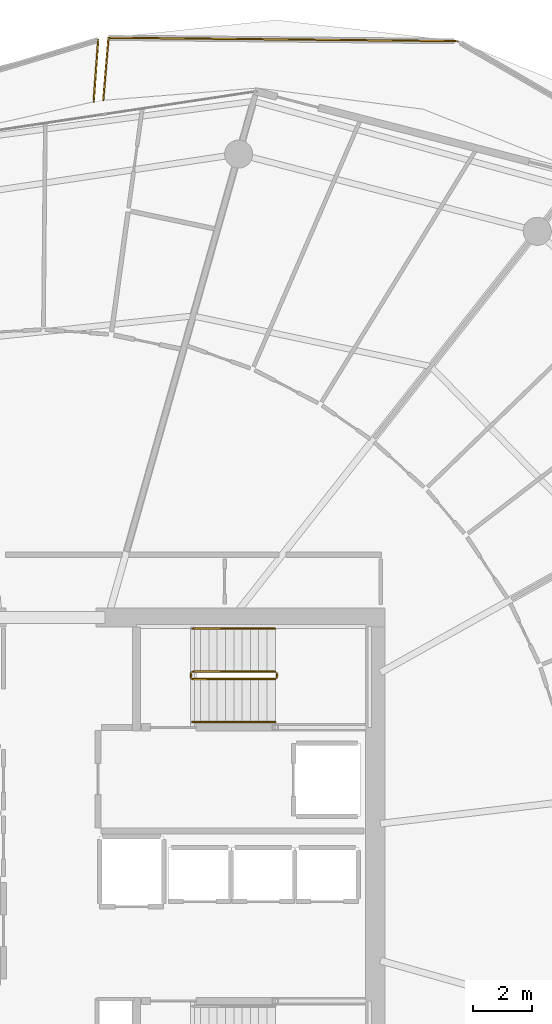
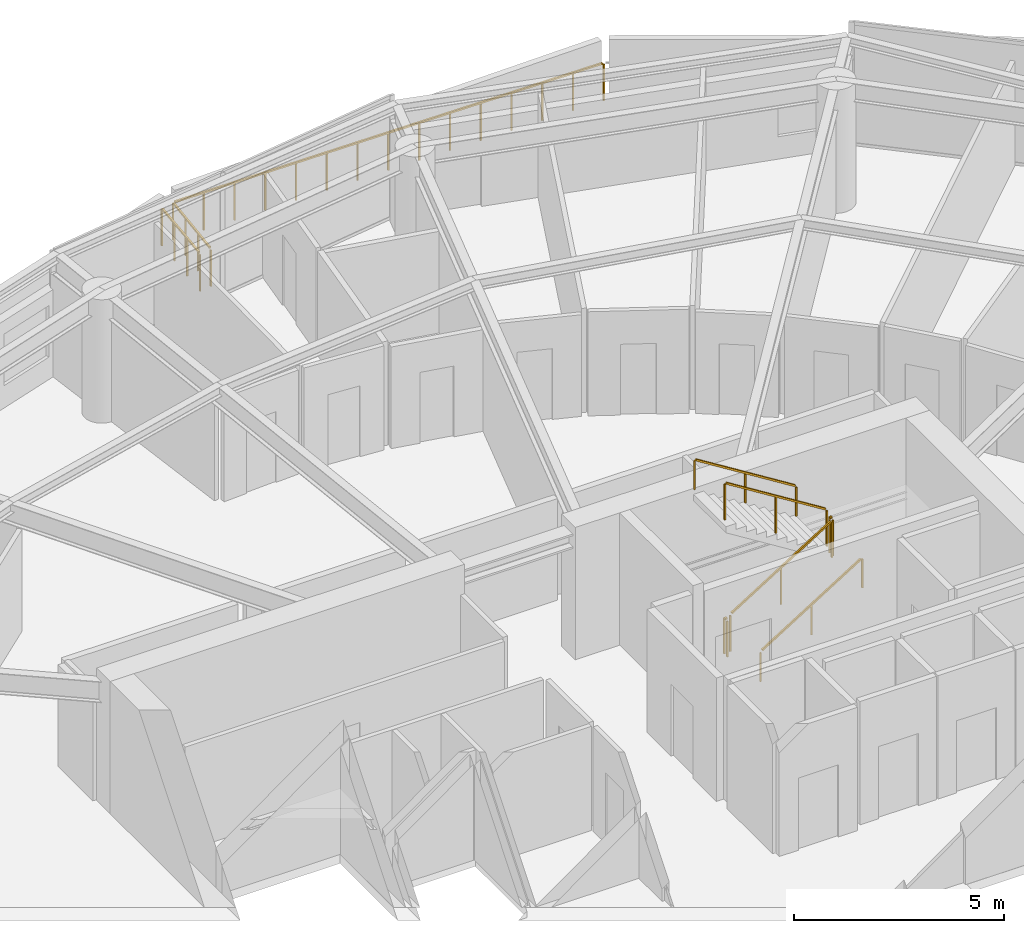
# One storey, part 30 of 31: 9 railings.
"""IFC4 building model written with IfcOpenShell, lengths in metres."""

import ifcopenshell
import ifcopenshell.guid

model = None  # the IFC model being written
_history = None  # IfcOwnerHistory: only IFC2X3 demands one
_inside = {}  # id of a spatial element -> (the spatial element, [elements in it])
_under = {}  # id of a project, library or spatial element -> (it, [spatial elements below it])
_declared = {}  # id of a project -> (the project, [libraries it declares])
_typed = {}  # id of a type object -> (the type object, [elements of that type])
_made_of = {}  # id of a material, layer set ... -> (it, [elements and type objects made of it])


def new_model(schema):
    """Start an empty IFC model of exactly this schema.

    Asked for "IFC4X3", IfcOpenShell would pick the latest addendum, in which some entities
    have other attributes; the version numbers below select the first issue.
    IFC2X3 requires an IfcOwnerHistory on every rooted entity: one is made here for all.
    """
    global model, _history
    if schema == "IFC4X3":
        model = ifcopenshell.file(schema_version=(4, 3, 0, 0))
    else:
        model = ifcopenshell.file(schema=schema)
    _inside.clear()
    _under.clear()
    _declared.clear()
    _typed.clear()
    _made_of.clear()
    _history = None
    if model.schema == "IFC2X3":
        org = make("IfcOrganization", Name="unknown")
        user = make(
            "IfcPersonAndOrganization",
            ThePerson=make("IfcPerson", FamilyName="unknown"),
            TheOrganization=org,
        )
        app = make(
            "IfcApplication",
            ApplicationDeveloper=org,
            Version="unknown",
            ApplicationFullName="unknown",
            ApplicationIdentifier="unknown",
        )
        _history = make(
            "IfcOwnerHistory",
            OwningUser=user,
            OwningApplication=app,
            ChangeAction="ADDED",
            CreationDate=0,
        )
    return model


def make(cls, **values):
    """One entity of the class cls with the attributes given. An attribute that is None is left unset."""
    return model.create_entity(
        cls, **{name: value for name, value in values.items() if value is not None}
    )


def rooted(cls, **values):
    """An entity with a GlobalId (a new one), such as an element, a storey or a relation."""
    return make(cls, GlobalId=ifcopenshell.guid.new(), OwnerHistory=_history, **values)


def si_unit(unit_type, name, prefix=None):
    """IfcSIUnit, for example si_unit("LENGTHUNIT", "METRE", prefix="MILLI")."""
    return make("IfcSIUnit", UnitType=unit_type, Prefix=prefix, Name=name)


def assignment(units):
    """IfcUnitAssignment: the units of a project."""
    return None if units is None else make("IfcUnitAssignment", Units=units)


def point(xyz):
    """IfcCartesianPoint."""
    return None if xyz is None else make("IfcCartesianPoint", Coordinates=xyz)


def direction(xyz):
    """IfcDirection."""
    return None if xyz is None else make("IfcDirection", DirectionRatios=xyz)


def frame(location, z_axis=None, x_axis=None):
    """IfcAxis2Placement3D, a coordinate frame: its origin and axes. An axis left out is left unset."""
    return make(
        "IfcAxis2Placement3D",
        Location=point(location),
        Axis=direction(z_axis),
        RefDirection=direction(x_axis),
    )


def frame_2d(location, x_axis=None):
    """IfcAxis2Placement2D, a coordinate frame in the plane: its origin and x axis."""
    return make(
        "IfcAxis2Placement2D", Location=point(location), RefDirection=direction(x_axis)
    )


def origin():
    """The frame at (0, 0, 0) with its axes left unset."""
    return frame((0.0, 0.0, 0.0))


def origin_2d():
    """The frame at (0, 0) in the plane with its x axis left unset."""
    return frame_2d((0.0, 0.0))


def place(relative_to, where):
    """IfcLocalPlacement: puts the frame where relative to a parent placement (None: the world)."""
    return make(
        "IfcLocalPlacement", PlacementRelTo=relative_to, RelativePlacement=where
    )


def context(
    kind, dimensions, precision=None, world=None, true_north=None, identifier=None
):
    """IfcGeometricRepresentationContext, for example the 3D "Model" context."""
    return make(
        "IfcGeometricRepresentationContext",
        ContextIdentifier=identifier,
        ContextType=kind,
        CoordinateSpaceDimension=dimensions,
        Precision=precision,
        WorldCoordinateSystem=world,
        TrueNorth=true_north,
    )


def subcontext(parent, identifier, kind, view, scale=None):
    """IfcGeometricRepresentationSubContext, for example "Body" below "Model"."""
    return make(
        "IfcGeometricRepresentationSubContext",
        ContextIdentifier=identifier,
        ContextType=kind,
        ParentContext=parent,
        TargetScale=scale,
        TargetView=view,
    )


def project(units=None, contexts=None):
    """IfcProject with its units and contexts."""
    return rooted(
        "IfcProject",
        Name="project",
        RepresentationContexts=contexts,
        UnitsInContext=assignment(units),
    )


def spatial(cls, under=None, at=None, **own):
    """A site, building, storey or space (cls), placed at a placement, below another one or the project."""
    s = rooted(cls, ObjectPlacement=at, **own)
    if under is not None:
        _under.setdefault(under.id(), (under, []))[1].append(s)
    return s


def profile(cls, at=None, kind="AREA", **sizes):
    """A parametric profile (cls). Its sizes go by their IFC names, for example OverallWidth=200.0."""
    return make(cls, ProfileType=kind, Position=at, **sizes)


def rectangle(**sizes):
    """IfcRectangleProfileDef."""
    return profile("IfcRectangleProfileDef", **sizes)


def extrude(swept, where, along, depth):
    """IfcExtrudedAreaSolid: the profile swept, set in the frame where, extruded along a direction by depth."""
    return make(
        "IfcExtrudedAreaSolid",
        SweptArea=swept,
        Position=where,
        ExtrudedDirection=direction(along),
        Depth=depth,
    )


def shape(context_of_items, identifier, shape_type, items):
    """IfcShapeRepresentation: the items that make up one representation, for example the "Body"."""
    return make(
        "IfcShapeRepresentation",
        ContextOfItems=context_of_items,
        RepresentationIdentifier=identifier,
        RepresentationType=shape_type,
        Items=items,
    )


def material(Name=None, Category=None):
    """IfcMaterial."""
    return make("IfcMaterial", Name=Name, Category=Category)


def made_of(thing, what):
    """Note that an element or type object is made of a material, layer set ...; save() writes the relation."""
    if what is not None:
        _made_of.setdefault(what.id(), (what, []))[1].append(thing)
    return thing


def type_object(cls, material=None, **own):
    """A type object (cls), such as IfcWallType, which elements share."""
    return made_of(rooted(cls, **own), material)


def element(
    cls,
    number,
    at=None,
    inside=None,
    cuts=None,
    type_object=None,
    material=None,
    context=None,
    identifier="Body",
    shape_type=None,
    held_by="IfcProductDefinitionShape",
    body=None,
    shapes=None,
    **own,
):
    """One element of the class cls, such as IfcWall. Its Tag is "e" and its number.

    at: its placement. inside: the storey or other place that contains it. cuts: it is an
    opening in that element (IfcRelVoidsElement). A single representation is given by context,
    identifier, shape_type and body (its items); several are given by shapes. held_by: the class
    of the entity that holds the representations. save() writes the other relations.
    """
    e = rooted(cls, Tag="e%d" % number, ObjectPlacement=at, **own)
    if body is not None:
        shapes = [shape(context, identifier, shape_type, body)]
    if shapes is not None:
        e.Representation = make(held_by, Representations=shapes)
    if inside is not None:
        _inside.setdefault(inside.id(), (inside, []))[1].append(e)
    if cuts is not None:
        rooted(
            "IfcRelVoidsElement", RelatingBuildingElement=cuts, RelatedOpeningElement=e
        )
    if type_object is not None:
        _typed.setdefault(type_object.id(), (type_object, []))[1].append(e)
    return made_of(e, material)


def aggregate(whole, parts):
    """IfcRelAggregates: a whole, such as a stair, and the parts it consists of."""
    return rooted("IfcRelAggregates", RelatingObject=whole, RelatedObjects=parts)


def save(model, path):
    """Write the relations noted so far, then the file.

    IfcRelAggregates (storeys below a building ...), IfcRelContainedInSpatialStructure (elements
    in a storey), IfcRelDefinesByType, IfcRelAssociatesMaterial and IfcRelDeclares: one each for
    every whole, place, type object, material and project.
    """
    for whole, parts in _under.values():
        aggregate(whole, parts)
    for where, things in _inside.values():
        rooted(
            "IfcRelContainedInSpatialStructure",
            RelatedElements=things,
            RelatingStructure=where,
        )
    for kind, things in _typed.values():
        rooted("IfcRelDefinesByType", RelatedObjects=things, RelatingType=kind)
    for what, things in _made_of.values():
        rooted("IfcRelAssociatesMaterial", RelatedObjects=things, RelatingMaterial=what)
    for by, libraries in _declared.values():
        rooted("IfcRelDeclares", RelatingContext=by, RelatedDefinitions=libraries)
    model.write(path)


model = new_model("IFC4")

# Units and contexts
model_context = context("Model", 3, precision=1e-05, world=origin(), true_north=direction((0.0, 1.0)))
body_context = subcontext(model_context, "Body", "Model", "MODEL_VIEW")
ifc_project = project(units=[si_unit("LENGTHUNIT", "METRE"), si_unit("AREAUNIT", "SQUARE_METRE"), si_unit("VOLUMEUNIT", "CUBIC_METRE"), si_unit("PLANEANGLEUNIT", "RADIAN"), si_unit("MASSUNIT", "GRAM", prefix="KILO")], contexts=[model_context])

# Site, building, storey
site_placement = place(None, origin())
site = spatial("IfcSite", under=ifc_project, at=site_placement, CompositionType="ELEMENT")
building_placement = place(site_placement, origin())
building = spatial("IfcBuilding", under=site, at=building_placement, Name="Kazma Halo Residences", CompositionType="ELEMENT")
storey_placement = place(building_placement, frame((0.0, 0.0, 259.800048828125)))
storey = spatial("IfcBuildingStorey", under=building, at=storey_placement, Name="L65", CompositionType="ELEMENT", Elevation=259.800048828125)

# Railings
ifc_material_1 = material(Name="Aluminium AW-6063 T6 Brushed Cap Rail", Category="aluminium")
railing_type_1 = type_object("IfcRailingType", Name="RLG-BAL-CAP-1120", PredefinedType="BALUSTRADE", material=ifc_material_1)
railing_1_placement = place(storey_placement, frame((62.1611328125, 69.79296875, 0.0)))
element("IfcRailing", 1, at=railing_1_placement, inside=storey, type_object=railing_type_1, Name="L65 NE wave balcony guard 3", PredefinedType="BALUSTRADE", context=body_context, shape_type="SweptSolid", body=[
    extrude(rectangle(XDim=0.050048828125, YDim=0.050048828125, at=origin_2d()), frame((-0.04248046875, 0.00048828125, 1.09521484375), z_axis=(-0.999953670079, 0.009625886691, 0.0), x_axis=(-0.009625886691, -0.999953670079, 0.0)), (0.0, 0.0, 1.0), 11.708740234375),
    extrude(rectangle(XDim=0.0400390625, YDim=0.0400390625, at=origin_2d()), origin(), (0.0, 0.0, 1.0), 1.05810546875),
    extrude(rectangle(XDim=0.0400390625, YDim=0.0400390625, at=origin_2d()), frame((-0.84228515625, 0.008056640625, 0.0)), (0.0, 0.0, 1.0), 1.05810546875),
    extrude(rectangle(XDim=0.0400390625, YDim=0.0400390625, at=origin_2d()), frame((-1.684814453125, 0.01611328125, 0.0)), (0.0, 0.0, 1.0), 1.05810546875),
    extrude(rectangle(XDim=0.0400390625, YDim=0.0400390625, at=origin_2d()), frame((-2.527099609375, 0.0244140625, 0.0)), (0.0, 0.0, 1.0), 1.05810546875),
    extrude(rectangle(XDim=0.0400390625, YDim=0.0400390625, at=origin_2d()), frame((-3.369384765625, 0.032470703125, 0.0)), (0.0, 0.0, 1.0), 1.05810546875),
    extrude(rectangle(XDim=0.0400390625, YDim=0.0400390625, at=origin_2d()), frame((-4.2119140625, 0.04052734375, 0.0)), (0.0, 0.0, 1.0), 1.05810546875),
    extrude(rectangle(XDim=0.0400390625, YDim=0.0400390625, at=origin_2d()), frame((-5.05419921875, 0.048583984375, 0.0)), (0.0, 0.0, 1.0), 1.05810546875),
    extrude(rectangle(XDim=0.0400390625, YDim=0.0400390625, at=origin_2d()), frame((-5.896484375, 0.056640625, 0.0)), (0.0, 0.0, 1.0), 1.05810546875),
    extrude(rectangle(XDim=0.0400390625, YDim=0.0400390625, at=origin_2d()), frame((-6.739013671875, 0.06494140625, 0.0)), (0.0, 0.0, 1.0), 1.05810546875),
    extrude(rectangle(XDim=0.0400390625, YDim=0.0400390625, at=origin_2d()), frame((-7.581298828125, 0.072998046875, 0.0)), (0.0, 0.0, 1.0), 1.05810546875),
    extrude(rectangle(XDim=0.0400390625, YDim=0.0400390625, at=origin_2d()), frame((-8.423828125, 0.0810546875, 0.0)), (0.0, 0.0, 1.0), 1.05810546875),
    extrude(rectangle(XDim=0.0400390625, YDim=0.0400390625, at=origin_2d()), frame((-9.26611328125, 0.089111328125, 0.0)), (0.0, 0.0, 1.0), 1.05810546875),
    extrude(rectangle(XDim=0.0400390625, YDim=0.0400390625, at=origin_2d()), frame((-10.1083984375, 0.097412109375, 0.0)), (0.0, 0.0, 1.0), 1.05810546875),
    extrude(rectangle(XDim=0.0400390625, YDim=0.0400390625, at=origin_2d()), frame((-10.950927734375, 0.10546875, 0.0)), (0.0, 0.0, 1.0), 1.05810546875),
    extrude(rectangle(XDim=0.0400390625, YDim=0.0400390625, at=origin_2d()), frame((-11.793212890625, 0.113525390625, 0.0)), (0.0, 0.0, 1.0), 1.05810546875),
])
railing_2_placement = place(storey_placement, frame((50.367919921875, 69.906494140625, 0.0)))
element("IfcRailing", 2, at=railing_2_placement, inside=storey, type_object=railing_type_1, Name="L65 NE wave balcony guard 4", PredefinedType="BALUSTRADE", context=body_context, shape_type="SweptSolid", body=[
    extrude(rectangle(XDim=0.050048828125, YDim=0.050048828125, at=origin_2d()), frame((-0.003662109375, -0.04248046875, 1.09521484375), z_axis=(-0.08453222693, -0.996420745775, 0.0), x_axis=(0.996420745775, -0.08453222693, 0.0)), (0.0, 0.0, 1.0), 2.034912109375),
    extrude(rectangle(XDim=0.0400390625, YDim=0.0400390625, at=origin_2d()), origin(), (0.0, 0.0, 1.0), 1.05810546875),
    extrude(rectangle(XDim=0.0400390625, YDim=0.0400390625, at=origin_2d()), frame((-0.059814453125, -0.7041015625, 0.0)), (0.0, 0.0, 1.0), 1.05810546875),
    extrude(rectangle(XDim=0.0400390625, YDim=0.0400390625, at=origin_2d()), frame((-0.119384765625, -1.408203125, 0.0)), (0.0, 0.0, 1.0), 1.05810546875),
    extrude(rectangle(XDim=0.0400390625, YDim=0.0400390625, at=origin_2d()), frame((-0.17919921875, -2.1123046875, 0.0)), (0.0, 0.0, 1.0), 1.05810546875),
])
railing_3_placement = place(storey_placement, frame((49.8681640625, 67.74609375, 0.0)))
element("IfcRailing", 3, at=railing_3_placement, inside=storey, type_object=railing_type_1, Name="L65 NNW wave balcony guard 1", PredefinedType="BALUSTRADE", context=body_context, shape_type="SweptSolid", body=[
    extrude(rectangle(XDim=0.050048828125, YDim=0.050048828125, at=origin_2d()), frame((0.003173828125, 0.04248046875, 1.09521484375), z_axis=(0.072339758184, 0.997380047618, 0.0), x_axis=(-0.997380047618, 0.072339758184, 0.0)), (0.0, 0.0, 1.0), 2.0107421875),
    extrude(rectangle(XDim=0.0400390625, YDim=0.0400390625, at=origin_2d()), origin(), (0.0, 0.0, 1.0), 1.05810546875),
    extrude(rectangle(XDim=0.0400390625, YDim=0.0400390625, at=origin_2d()), frame((0.050537109375, 0.69677734375, 0.0)), (0.0, 0.0, 1.0), 1.05810546875),
    extrude(rectangle(XDim=0.0400390625, YDim=0.0400390625, at=origin_2d()), frame((0.10107421875, 1.3935546875, 0.0)), (0.0, 0.0, 1.0), 1.05810546875),
    extrude(rectangle(XDim=0.0400390625, YDim=0.0400390625, at=origin_2d()), frame((0.151611328125, 2.09033203125, 0.0)), (0.0, 0.0, 1.0), 1.05810546875),
])
ifc_material_2 = material(Name="Painted Steel S355", Category="steel")
railing_type_2 = type_object("IfcRailingType", Name="RLG-STAIR-GRD-1100", PredefinedType="GUARDRAIL", material=ifc_material_2)
railing_4_placement = place(storey_placement, frame((53.199951171875, 48.25, 0.175048828125)))
element("IfcRailing", 4, at=railing_4_placement, inside=storey, type_object=railing_type_2, Name="L65 ST-02 stair guard 1", PredefinedType="GUARDRAIL", context=body_context, shape_type="SweptSolid", body=[
    extrude(rectangle(XDim=0.050048828125, YDim=0.050048828125, at=origin_2d()), frame((0.0361328125, 0.0, 1.09765625), z_axis=(0.848002457836, 0.0, 0.529992293815), x_axis=(0.0, 1.0, 0.0)), (0.0, 0.0, 1.0), 3.216796875),
    extrude(rectangle(XDim=0.0400390625, YDim=0.0400390625, at=origin_2d()), origin(), (0.0, 0.0, 1.0), 1.0380859375),
    extrude(rectangle(XDim=0.0400390625, YDim=0.0400390625, at=origin_2d()), frame((1.39990234375, 0.0, 0.875)), (0.0, 0.0, 1.0), 1.0380859375),
    extrude(rectangle(XDim=0.0400390625, YDim=0.0400390625, at=origin_2d()), frame((2.800048828125, 0.0, 1.75)), (0.0, 0.0, 1.0), 1.0380859375),
])
railing_5_placement = place(storey_placement, frame((56.050048828125, 48.300048828125, 1.925048828125)))
element("IfcRailing", 5, at=railing_5_placement, inside=storey, type_object=railing_type_2, Name="L65 ST-02 stair guard 2", PredefinedType="GUARDRAIL", context=body_context, shape_type="SweptSolid", body=[
    extrude(rectangle(XDim=0.050048828125, YDim=0.050048828125, at=origin_2d()), frame((0.0, 0.04248046875, 1.0751953125), z_axis=(0.0, 1.0, 0.0), x_axis=(-1.0, 0.0, 0.0)), (0.0, 0.0, 1.0), 0.06494140625),
    extrude(rectangle(XDim=0.0400390625, YDim=0.0400390625, at=origin_2d()), origin(), (0.0, 0.0, 1.0), 1.0380859375),
    extrude(rectangle(XDim=0.0400390625, YDim=0.0400390625, at=origin_2d()), frame((0.0, 0.14990234375, 0.0)), (0.0, 0.0, 1.0), 1.0380859375),
])
railing_6_placement = place(storey_placement, frame((56.0, 48.5, 2.099853515625)))
element("IfcRailing", 6, at=railing_6_placement, inside=storey, type_object=railing_type_2, Name="L65 ST-02 stair guard 3", PredefinedType="GUARDRAIL", context=body_context, shape_type="SweptSolid", body=[
    extrude(rectangle(XDim=0.050048828125, YDim=0.050048828125, at=origin_2d()), frame((-0.0361328125, 0.0, 1.09765625), z_axis=(-0.848002457836, 0.0, 0.529992293815), x_axis=(0.0, -1.0, 0.0)), (0.0, 0.0, 1.0), 3.216796875),
    extrude(rectangle(XDim=0.0400390625, YDim=0.0400390625, at=origin_2d()), origin(), (0.0, 0.0, 1.0), 1.0380859375),
    extrude(rectangle(XDim=0.0400390625, YDim=0.0400390625, at=origin_2d()), frame((-1.39990234375, 0.0, 0.875)), (0.0, 0.0, 1.0), 1.0380859375),
    extrude(rectangle(XDim=0.0400390625, YDim=0.0400390625, at=origin_2d()), frame((-2.800048828125, 0.0, 1.75)), (0.0, 0.0, 1.0), 1.0380859375),
])
railing_7_placement = place(storey_placement, frame((53.14990234375, 48.300048828125, 0.0)))
element("IfcRailing", 7, at=railing_7_placement, inside=storey, type_object=railing_type_2, Name="L65 ST-02 stair guard 4", PredefinedType="GUARDRAIL", context=body_context, shape_type="SweptSolid", body=[
    extrude(rectangle(XDim=0.050048828125, YDim=0.050048828125, at=origin_2d()), frame((0.0, 0.04248046875, 1.0751953125), z_axis=(0.0, 1.0, 0.0), x_axis=(-1.0, 0.0, 0.0)), (0.0, 0.0, 1.0), 0.06494140625),
    extrude(rectangle(XDim=0.0400390625, YDim=0.0400390625, at=origin_2d()), origin(), (0.0, 0.0, 1.0), 1.0380859375),
    extrude(rectangle(XDim=0.0400390625, YDim=0.0400390625, at=origin_2d()), frame((0.0, 0.14990234375, 0.0)), (0.0, 0.0, 1.0), 1.0380859375),
])
ifc_material_3 = material(Name="Brushed Stainless Steel", Category="steel")
railing_type_3 = type_object("IfcRailingType", Name="RLG-STAIR-HND-900", PredefinedType="HANDRAIL", material=ifc_material_3)
railing_8_placement = place(storey_placement, frame((53.199951171875, 46.800048828125, 0.175048828125)))
element("IfcRailing", 8, at=railing_8_placement, inside=storey, type_object=railing_type_3, Name="L65 ST-02 stair handrail 1", PredefinedType="HANDRAIL", context=body_context, shape_type="SweptSolid", body=[
    extrude(rectangle(XDim=0.050048828125, YDim=0.050048828125, at=origin_2d()), frame((0.0361328125, 0.0, 0.8974609375), z_axis=(0.848002457836, 0.0, 0.529992293815), x_axis=(0.0, 1.0, 0.0)), (0.0, 0.0, 1.0), 3.216796875),
    extrude(rectangle(XDim=0.0400390625, YDim=0.0400390625, at=origin_2d()), origin(), (0.0, 0.0, 1.0), 0.837890625),
    extrude(rectangle(XDim=0.0400390625, YDim=0.0400390625, at=origin_2d()), frame((1.39990234375, 0.0, 0.875)), (0.0, 0.0, 1.0), 0.837890625),
    extrude(rectangle(XDim=0.0400390625, YDim=0.0400390625, at=origin_2d()), frame((2.800048828125, 0.0, 1.75)), (0.0, 0.0, 1.0), 0.837890625),
])
railing_9_placement = place(storey_placement, frame((56.0, 49.949951171875, 2.099853515625)))
element("IfcRailing", 9, at=railing_9_placement, inside=storey, type_object=railing_type_3, Name="L65 ST-02 stair handrail 2", PredefinedType="HANDRAIL", context=body_context, shape_type="SweptSolid", body=[
    extrude(rectangle(XDim=0.050048828125, YDim=0.050048828125, at=origin_2d()), frame((-0.0361328125, 0.0, 0.8974609375), z_axis=(-0.848002457836, 0.0, 0.529992293815), x_axis=(0.0, -1.0, 0.0)), (0.0, 0.0, 1.0), 3.216796875),
    extrude(rectangle(XDim=0.0400390625, YDim=0.0400390625, at=origin_2d()), origin(), (0.0, 0.0, 1.0), 0.837890625),
    extrude(rectangle(XDim=0.0400390625, YDim=0.0400390625, at=origin_2d()), frame((-1.39990234375, 0.0, 0.875)), (0.0, 0.0, 1.0), 0.837890625),
    extrude(rectangle(XDim=0.0400390625, YDim=0.0400390625, at=origin_2d()), frame((-2.800048828125, 0.0, 1.75)), (0.0, 0.0, 1.0), 0.837890625),
])

save(model, "model.ifc")
